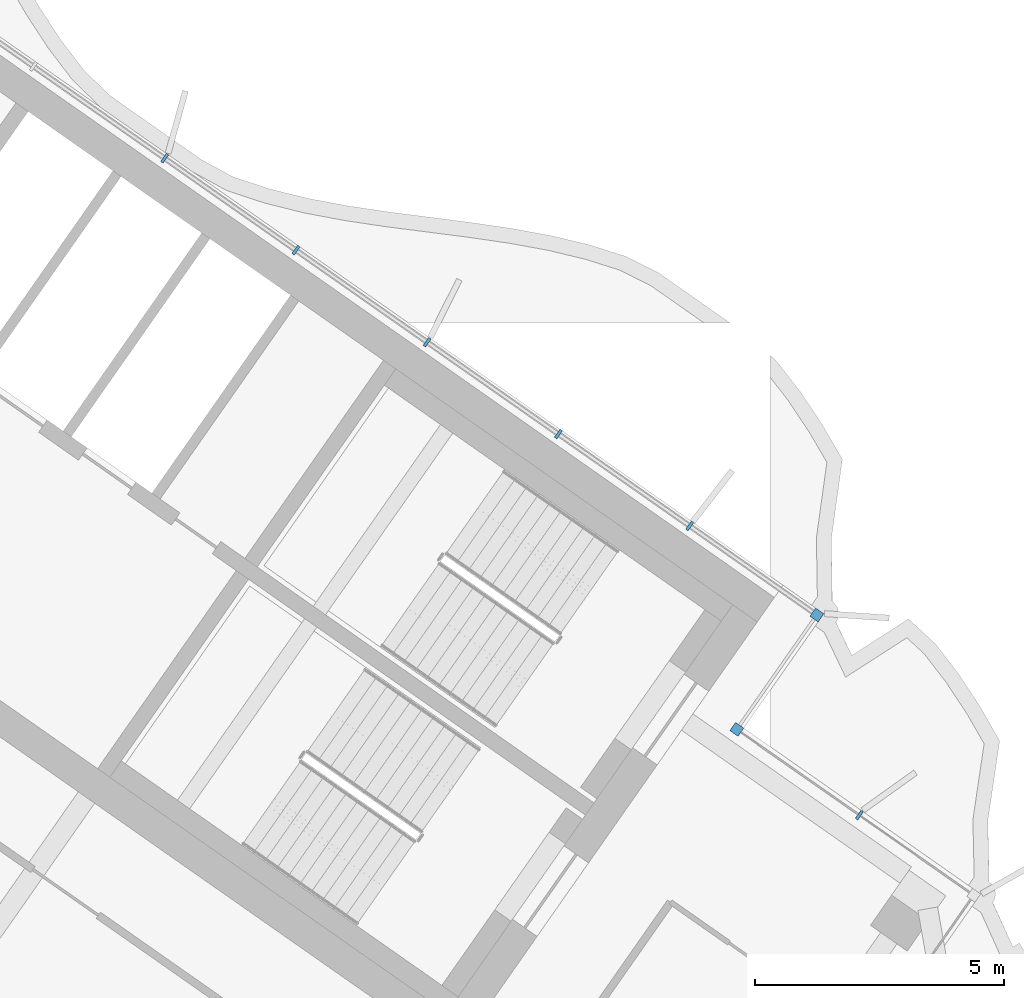
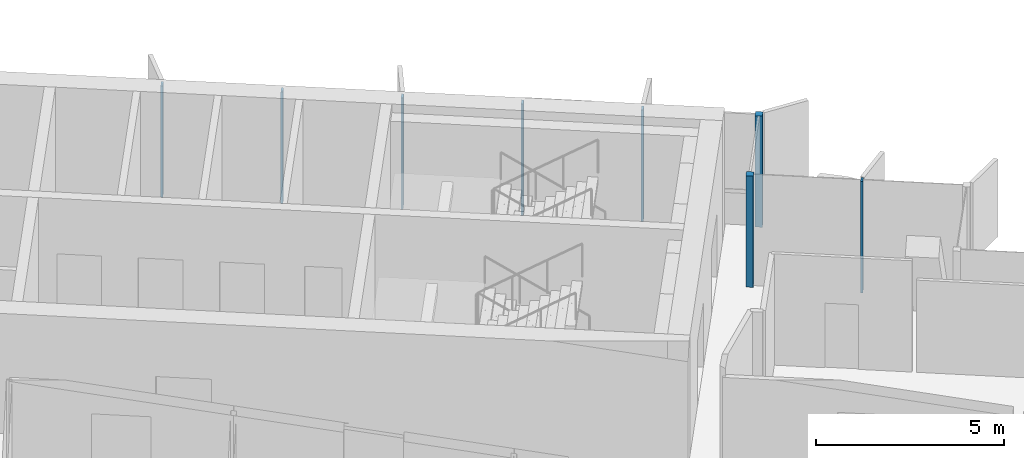
# One storey, part 6 of 20: 8 members, 2 elements without a shape of their own.
"""IFC4 building model written with IfcOpenShell, lengths in metres."""

from ifc_helpers import new_model, si_unit, direction, frame, origin, origin_2d, place, context, subcontext, project, spatial, rectangle, extrude, material, material_profile, profile_set, type_object, element, aggregate, save


model = new_model("IFC4")

# Units and contexts
model_context = context("Model", 3, precision=1e-05, world=origin(), true_north=direction((0.0, 1.0)))
body_context = subcontext(model_context, "Body", "Model", "MODEL_VIEW")
ifc_project = project(units=[si_unit("LENGTHUNIT", "METRE"), si_unit("AREAUNIT", "SQUARE_METRE"), si_unit("VOLUMEUNIT", "CUBIC_METRE"), si_unit("PLANEANGLEUNIT", "RADIAN"), si_unit("MASSUNIT", "GRAM", prefix="KILO")], contexts=[model_context])

# Site, building, storey
site_placement = place(None, origin())
site = spatial("IfcSite", under=ifc_project, at=site_placement, CompositionType="ELEMENT")
building_placement = place(site_placement, origin())
building = spatial("IfcBuilding", under=site, at=building_placement, Name="Tel Ilan Convention Tower", CompositionType="ELEMENT")
storey_placement = place(building_placement, frame((0.0, 0.0, 244.89990234375)))
storey = spatial("IfcBuildingStorey", under=building, at=storey_placement, Name="L57", CompositionType="ELEMENT", Elevation=244.89990234375)

# Curtain wall, members
ifc_material_1 = material(Name="Aluminium, bronze anodised", Category="aluminium")
curtain_wall_type_1 = type_object("IfcCurtainWallType", Name="CW2 STICK CURTAIN WALL, SPANDREL PANELS", PredefinedType="NOTDEFINED", material=ifc_material_1)
curtain_wall_1_placement = place(storey_placement, origin())
curtain_wall_1 = element("IfcCurtainWall", 1, at=curtain_wall_1_placement, inside=storey, type_object=curtain_wall_type_1, Name="Curtain wall CW2-44.01", PredefinedType="NOTDEFINED")
ifc_material_2 = material(Name="Aluminium, bronze anodised", Category="aluminium")
ifc_material_profile_1 = material_profile(ifc_material_2, rectangle(XDim=0.199951171875, YDim=0.199951171875, at=origin_2d()), Name="CW CORNER MULLION 200x200")
ifc_profile_set_1 = profile_set([ifc_material_profile_1], Name="Aluminium, bronze anodised")
member_type_1 = type_object("IfcMemberType", Name="CW CORNER MULLION 200x200", PredefinedType="MULLION", material=ifc_profile_set_1)
member_1_placement = place(storey_placement, frame((27.213623046875, -9.77734375, 0.0), z_axis=(0.0, 0.0, 1.0), x_axis=(-0.819152044289, 0.573576436351, 0.0)))
member_1 = element("IfcMember", 2, at=member_1_placement, type_object=member_type_1, Name="Corner mullion", PredefinedType="MULLION", context=body_context, shape_type="SweptSolid", body=[
    extrude(rectangle(XDim=0.199951171875, YDim=0.199951171875, at=origin_2d()), origin(), (0.0, 0.0, 1.0), 3.6201171875),
])
member_2_placement = place(storey_placement, frame((28.819580078125, -7.483642578125, 0.0), z_axis=(0.0, 0.0, 1.0), x_axis=(0.573576436351, 0.819152044289, 0.0)))
member_2 = element("IfcMember", 3, at=member_2_placement, type_object=member_type_1, Name="Corner mullion", PredefinedType="MULLION", context=body_context, shape_type="SweptSolid", body=[
    extrude(rectangle(XDim=0.199951171875, YDim=0.199951171875, at=origin_2d()), origin(), (0.0, 0.0, 1.0), 3.6201171875),
])
ifc_material_3 = material(Name="Aluminium, bronze anodised", Category="aluminium")
ifc_material_profile_2 = material_profile(ifc_material_3, rectangle(XDim=0.06005859375, YDim=0.199951171875, at=origin_2d()), Name="CW MULLION 60x200")
ifc_profile_set_2 = profile_set([ifc_material_profile_2], Name="Aluminium, bronze anodised")
member_type_2 = type_object("IfcMemberType", Name="CW MULLION 60x200", PredefinedType="MULLION", material=ifc_profile_set_2)
member_3_placement = place(storey_placement, frame((26.268798828125, -5.697509765625, 0.0), z_axis=(0.0, 0.0, 1.0), x_axis=(-0.819152044289, 0.573576436351, 0.0)))
member_3 = element("IfcMember", 4, at=member_3_placement, type_object=member_type_2, Name="Mullion", PredefinedType="MULLION", context=body_context, shape_type="SweptSolid", body=[
    extrude(rectangle(XDim=0.06005859375, YDim=0.199951171875, at=origin_2d()), origin(), (0.0, 0.0, 1.0), 3.6201171875),
])
member_4_placement = place(storey_placement, frame((23.63623046875, -3.854248046875, 0.0), z_axis=(0.0, 0.0, 1.0), x_axis=(-0.819152044289, 0.573576436351, 0.0)))
member_4 = element("IfcMember", 5, at=member_4_placement, type_object=member_type_2, Name="Mullion", PredefinedType="MULLION", context=body_context, shape_type="SweptSolid", body=[
    extrude(rectangle(XDim=0.06005859375, YDim=0.199951171875, at=origin_2d()), origin(), (0.0, 0.0, 1.0), 3.6201171875),
])
member_5_placement = place(storey_placement, frame((21.003662109375, -2.0107421875, 0.0), z_axis=(0.0, 0.0, 1.0), x_axis=(-0.819152044289, 0.573576436351, 0.0)))
member_5 = element("IfcMember", 6, at=member_5_placement, type_object=member_type_2, Name="Mullion", PredefinedType="MULLION", context=body_context, shape_type="SweptSolid", body=[
    extrude(rectangle(XDim=0.06005859375, YDim=0.199951171875, at=origin_2d()), origin(), (0.0, 0.0, 1.0), 3.6201171875),
])
member_6_placement = place(storey_placement, frame((18.37109375, -0.16748046875, 0.0), z_axis=(0.0, 0.0, 1.0), x_axis=(-0.819152044289, 0.573576436351, 0.0)))
member_6 = element("IfcMember", 7, at=member_6_placement, type_object=member_type_2, Name="Mullion", PredefinedType="MULLION", context=body_context, shape_type="SweptSolid", body=[
    extrude(rectangle(XDim=0.06005859375, YDim=0.199951171875, at=origin_2d()), origin(), (0.0, 0.0, 1.0), 3.6201171875),
])
member_7_placement = place(storey_placement, frame((15.73828125, 1.676025390625, 0.0), z_axis=(0.0, 0.0, 1.0), x_axis=(-0.819152044289, 0.573576436351, 0.0)))
member_7 = element("IfcMember", 8, at=member_7_placement, type_object=member_type_2, Name="Mullion", PredefinedType="MULLION", context=body_context, shape_type="SweptSolid", body=[
    extrude(rectangle(XDim=0.06005859375, YDim=0.199951171875, at=origin_2d()), origin(), (0.0, 0.0, 1.0), 3.6201171875),
])
aggregate(curtain_wall_1, [member_1, member_2, member_3, member_4, member_5, member_6, member_7])

# Curtain wall, member
ifc_material_4 = material(Name="Aluminium, bronze anodised", Category="aluminium")
curtain_wall_type_2 = type_object("IfcCurtainWallType", Name="CW5 STICK CURTAIN WALL, UPPER OFFICE LOW-IRON TINTED GLASS", PredefinedType="NOTDEFINED", material=ifc_material_4)
curtain_wall_2_placement = place(storey_placement, origin())
curtain_wall_2 = element("IfcCurtainWall", 9, at=curtain_wall_2_placement, inside=storey, type_object=curtain_wall_type_2, Name="Curtain wall CW5-44.02", PredefinedType="NOTDEFINED")
member_8_placement = place(storey_placement, frame((29.6708984375, -11.498046875, 0.0), z_axis=(0.0, 0.0, 1.0), x_axis=(-0.819152044289, 0.573576436351, 0.0)))
member_8 = element("IfcMember", 10, at=member_8_placement, type_object=member_type_2, Name="Mullion", PredefinedType="MULLION", context=body_context, shape_type="SweptSolid", body=[
    extrude(rectangle(XDim=0.06005859375, YDim=0.199951171875, at=origin_2d()), origin(), (0.0, 0.0, 1.0), 3.6201171875),
])
aggregate(curtain_wall_2, [member_8])

save(model, "model.ifc")
